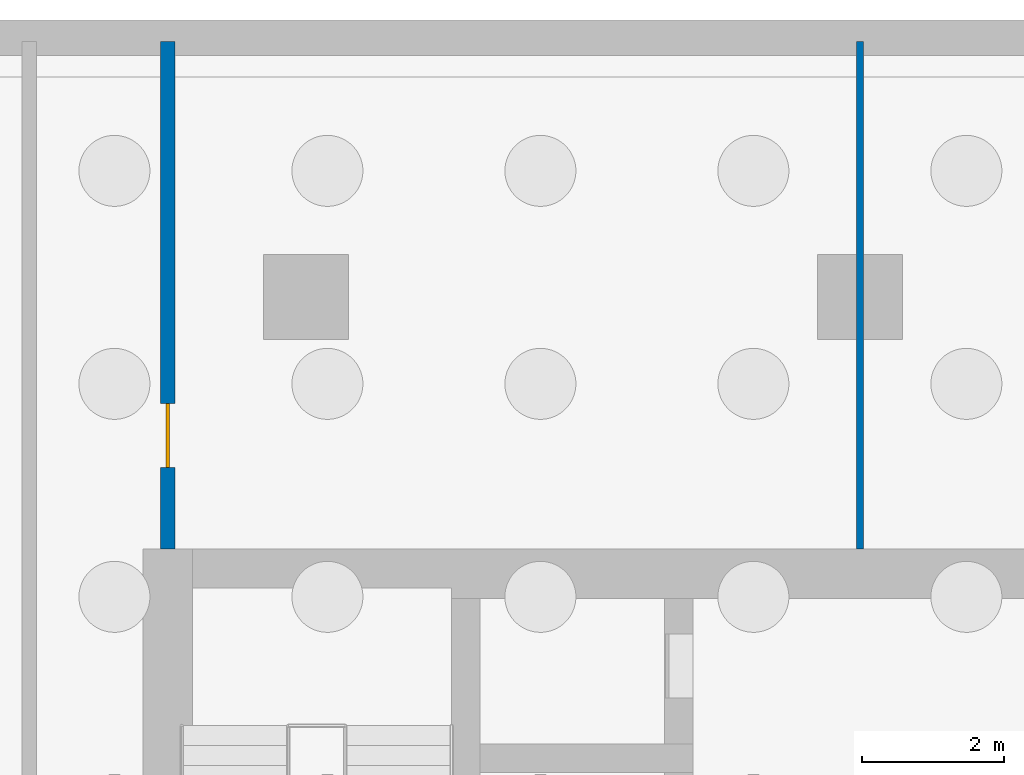
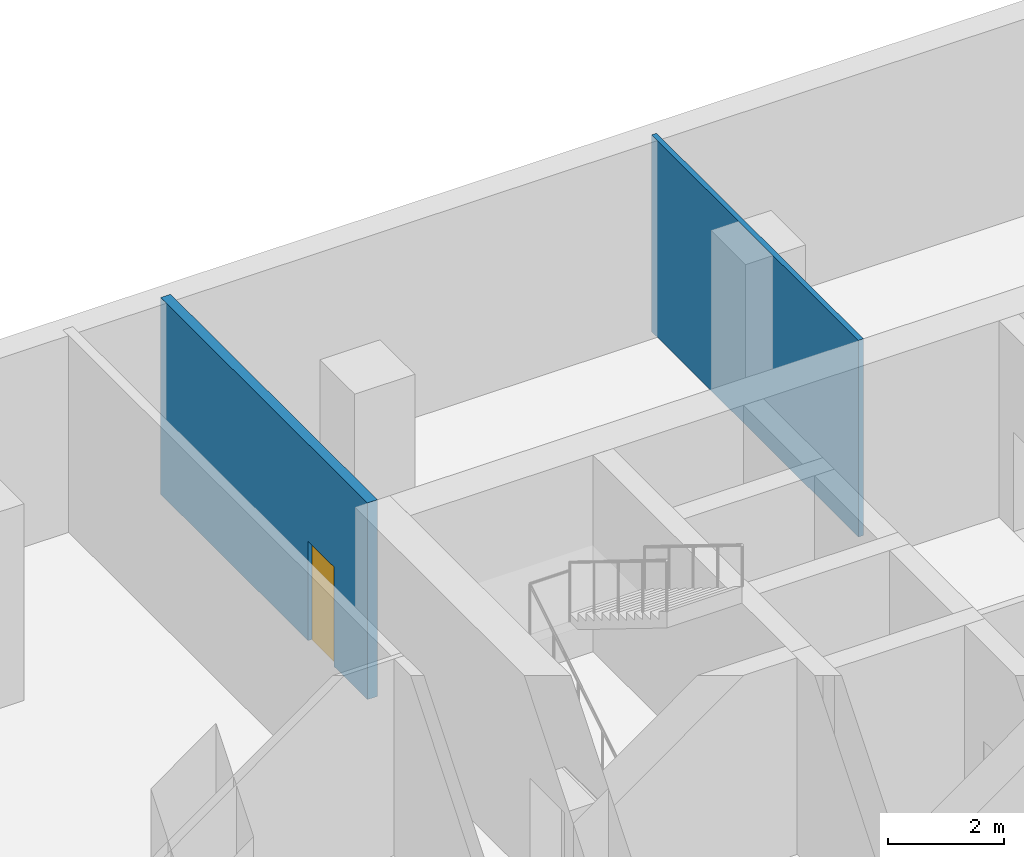
# One storey, part 10 of 16: 2 walls, 1 door, 1 opening.
"""IFC4 building model written with IfcOpenShell, lengths in metres."""

from ifc_helpers import new_model, si_unit, direction, frame, frame_2d, origin, place, context, subcontext, project, spatial, rectangle, extrude, material, layer, layer_set, type_object, element, fill, save


model = new_model("IFC4")

# Units and contexts
model_context = context("Model", 3, precision=1e-05, world=origin(), true_north=direction((0.0, 1.0)))
body_context = subcontext(model_context, "Body", "Model", "MODEL_VIEW")
ifc_project = project(units=[si_unit("LENGTHUNIT", "METRE"), si_unit("AREAUNIT", "SQUARE_METRE"), si_unit("VOLUMEUNIT", "CUBIC_METRE"), si_unit("PLANEANGLEUNIT", "RADIAN"), si_unit("MASSUNIT", "GRAM", prefix="KILO")], contexts=[model_context])

# Site, building, storey
site_placement = place(None, origin())
site = spatial("IfcSite", under=ifc_project, at=site_placement, CompositionType="ELEMENT")
building_placement = place(site_placement, origin())
building = spatial("IfcBuilding", under=site, at=building_placement, Name="Ludao Terraces", CompositionType="ELEMENT")
storey_placement = place(building_placement, frame((0.0, 0.0, -9.0)))
storey = spatial("IfcBuildingStorey", under=building, at=storey_placement, Name="B2", CompositionType="ELEMENT", Elevation=-9.0)

# Wall, opening, door
ifc_material_1 = material(Name="Autoclaved aerated concrete block B06 A3.5", Category="concrete")
ifc_layer_1 = layer(ifc_material_1, 0.199951171875)
ifc_layer_set_1 = layer_set([ifc_layer_1], Name="INT Entrance wall 200")
wall_type_1 = type_object("IfcWallType", Name="INT Entrance wall 200", PredefinedType="PARTITIONING", material=ifc_layer_set_1)
wall_1_placement = place(storey_placement, frame((75.25, 84.85009765625, 0.0), z_axis=(0.0, 0.0, 1.0), x_axis=(0.0, 1.0, 0.0)))
wall_1 = element("IfcWall", 1, at=wall_1_placement, inside=storey, type_object=wall_type_1, Name="PW-B2-PW043", PredefinedType="PARTITIONING", context=body_context, shape_type="SweptSolid", body=[
    extrude(rectangle(XDim=7.14990234375, YDim=0.199951171875, at=frame_2d((3.574951171875, 0.0))), origin(), (0.0, 0.0, 1.0), 4.14990234375),
])
opening_placement = place(wall_1_placement, frame((1.14990234375, 0.0, 0.0)))
opening = element("IfcOpeningElement", 2, at=opening_placement, cuts=wall_1, Name="Opening B2-073", PredefinedType="OPENING", context=body_context, shape_type="SweptSolid", body=[
    extrude(rectangle(XDim=0.89990234375, YDim=2.10009765625, at=frame_2d((0.449951171875, 1.050048828125))), frame((0.0, 0.10986328125, 0.0), z_axis=(0.0, -1.0, 0.0), x_axis=(1.0, 0.0, 0.0)), (0.0, 0.0, 1.0), 0.219970703125),
])
ifc_material_2 = material(Name="Timber door leaf", Category="wood")
door_type = type_object("IfcDoorType", Name="INT Room door 900", OperationType="SINGLE_SWING_LEFT", PredefinedType="DOOR", material=ifc_material_2)
door_placement = place(opening_placement, origin())
door = element("IfcDoor", 3, at=door_placement, inside=storey, type_object=door_type, Name="DOOR 073", OperationType="SINGLE_SWING_RIGHT", OverallHeight=2.10009765625, OverallWidth=0.89990234375, PredefinedType="DOOR", context=body_context, shape_type="SweptSolid", body=[
    extrude(rectangle(XDim=0.89990234375, YDim=2.10009765625, at=frame_2d((0.449951171875, 1.050048828125))), frame((0.0, 0.02490234375, 0.0), z_axis=(0.0, -1.0, 0.0), x_axis=(1.0, 0.0, 0.0)), (0.0, 0.0, 1.0), 0.050048828125),
])
fill(opening, door)

# Wall
ifc_material_3 = material(Name="Gypsum plasterboard", Category="gypsum")
ifc_layer_2 = layer(ifc_material_3, 0.012451171875, Category="gypsum")
ifc_material_4 = material(Name="Mineral wool")
ifc_layer_3 = layer(ifc_material_4, 0.06005859375, Name="insulation")
ifc_material_5 = material(Name="Steel Q235", Category="steel")
ifc_layer_4 = layer(ifc_material_5, 0.014892578125, Name="stud")
ifc_layer_5 = layer(ifc_material_3, 0.012451171875, Category="gypsum")
ifc_layer_set_2 = layer_set([ifc_layer_2, ifc_layer_3, ifc_layer_4, ifc_layer_5], Name="INT Partition 100")
wall_type_2 = type_object("IfcWallType", Name="INT Partition 100", PredefinedType="PARTITIONING", material=ifc_layer_set_2)
wall_2_placement = place(storey_placement, frame((85.0, 84.85009765625, 0.0), z_axis=(0.0, 0.0, 1.0), x_axis=(0.0, 1.0, 0.0)))
element("IfcWall", 4, at=wall_2_placement, inside=storey, type_object=wall_type_2, Name="PW-B2-PW048", PredefinedType="PARTITIONING", context=body_context, shape_type="SweptSolid", body=[
    extrude(rectangle(XDim=7.14990234375, YDim=0.10009765625, at=frame_2d((3.574951171875, 0.0))), origin(), (0.0, 0.0, 1.0), 4.14990234375),
])

save(model, "model.ifc")
